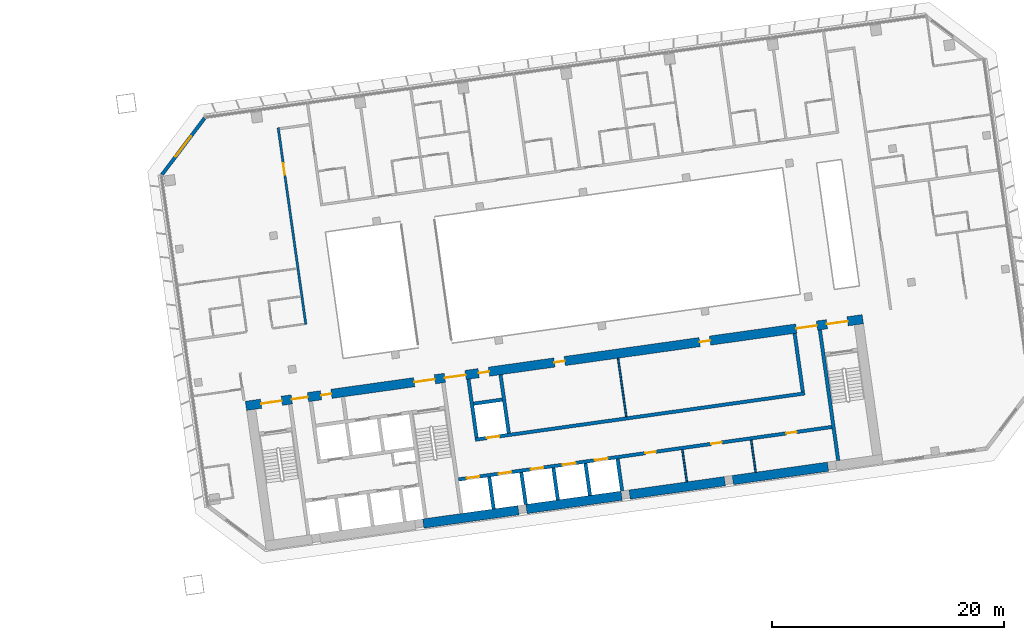
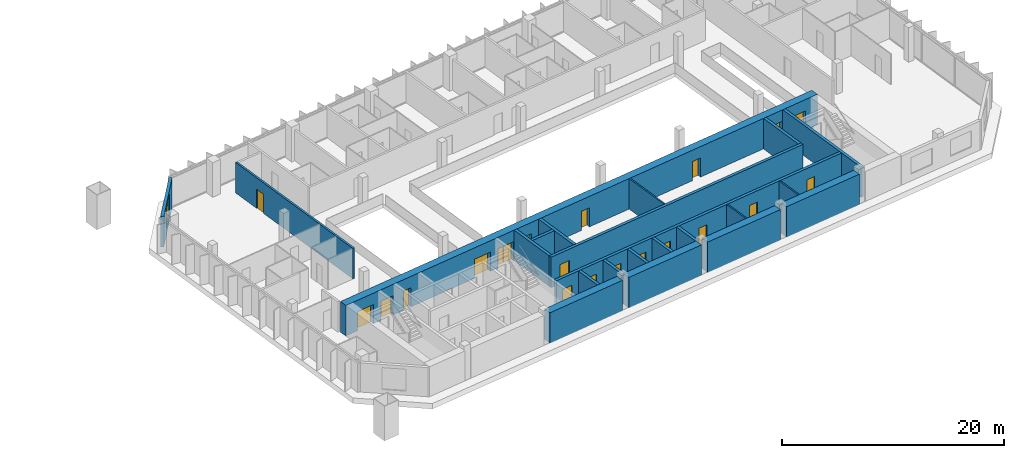
# One storey, part 21 of 26: 22 walls, 20 doors, 1 window, 21 openings.
"""IFC4 building model written with IfcOpenShell, lengths in metres."""

import ifcopenshell
import ifcopenshell.guid

model = None  # the IFC model being written
_history = None  # IfcOwnerHistory: only IFC2X3 demands one
_inside = {}  # id of a spatial element -> (the spatial element, [elements in it])
_under = {}  # id of a project, library or spatial element -> (it, [spatial elements below it])
_declared = {}  # id of a project -> (the project, [libraries it declares])
_typed = {}  # id of a type object -> (the type object, [elements of that type])
_made_of = {}  # id of a material, layer set ... -> (it, [elements and type objects made of it])


def new_model(schema):
    """Start an empty IFC model of exactly this schema.

    Asked for "IFC4X3", IfcOpenShell would pick the latest addendum, in which some entities
    have other attributes; the version numbers below select the first issue.
    IFC2X3 requires an IfcOwnerHistory on every rooted entity: one is made here for all.
    """
    global model, _history
    if schema == "IFC4X3":
        model = ifcopenshell.file(schema_version=(4, 3, 0, 0))
    else:
        model = ifcopenshell.file(schema=schema)
    _inside.clear()
    _under.clear()
    _declared.clear()
    _typed.clear()
    _made_of.clear()
    _history = None
    if model.schema == "IFC2X3":
        org = make("IfcOrganization", Name="unknown")
        user = make(
            "IfcPersonAndOrganization",
            ThePerson=make("IfcPerson", FamilyName="unknown"),
            TheOrganization=org,
        )
        app = make(
            "IfcApplication",
            ApplicationDeveloper=org,
            Version="unknown",
            ApplicationFullName="unknown",
            ApplicationIdentifier="unknown",
        )
        _history = make(
            "IfcOwnerHistory",
            OwningUser=user,
            OwningApplication=app,
            ChangeAction="ADDED",
            CreationDate=0,
        )
    return model


def make(cls, **values):
    """One entity of the class cls with the attributes given. An attribute that is None is left unset."""
    return model.create_entity(
        cls, **{name: value for name, value in values.items() if value is not None}
    )


def rooted(cls, **values):
    """An entity with a GlobalId (a new one), such as an element, a storey or a relation."""
    return make(cls, GlobalId=ifcopenshell.guid.new(), OwnerHistory=_history, **values)


def si_unit(unit_type, name, prefix=None):
    """IfcSIUnit, for example si_unit("LENGTHUNIT", "METRE", prefix="MILLI")."""
    return make("IfcSIUnit", UnitType=unit_type, Prefix=prefix, Name=name)


def assignment(units):
    """IfcUnitAssignment: the units of a project."""
    return None if units is None else make("IfcUnitAssignment", Units=units)


def point(xyz):
    """IfcCartesianPoint."""
    return None if xyz is None else make("IfcCartesianPoint", Coordinates=xyz)


def direction(xyz):
    """IfcDirection."""
    return None if xyz is None else make("IfcDirection", DirectionRatios=xyz)


def frame(location, z_axis=None, x_axis=None):
    """IfcAxis2Placement3D, a coordinate frame: its origin and axes. An axis left out is left unset."""
    return make(
        "IfcAxis2Placement3D",
        Location=point(location),
        Axis=direction(z_axis),
        RefDirection=direction(x_axis),
    )


def frame_2d(location, x_axis=None):
    """IfcAxis2Placement2D, a coordinate frame in the plane: its origin and x axis."""
    return make(
        "IfcAxis2Placement2D", Location=point(location), RefDirection=direction(x_axis)
    )


def origin():
    """The frame at (0, 0, 0) with its axes left unset."""
    return frame((0.0, 0.0, 0.0))


def place(relative_to, where):
    """IfcLocalPlacement: puts the frame where relative to a parent placement (None: the world)."""
    return make(
        "IfcLocalPlacement", PlacementRelTo=relative_to, RelativePlacement=where
    )


def context(
    kind, dimensions, precision=None, world=None, true_north=None, identifier=None
):
    """IfcGeometricRepresentationContext, for example the 3D "Model" context."""
    return make(
        "IfcGeometricRepresentationContext",
        ContextIdentifier=identifier,
        ContextType=kind,
        CoordinateSpaceDimension=dimensions,
        Precision=precision,
        WorldCoordinateSystem=world,
        TrueNorth=true_north,
    )


def subcontext(parent, identifier, kind, view, scale=None):
    """IfcGeometricRepresentationSubContext, for example "Body" below "Model"."""
    return make(
        "IfcGeometricRepresentationSubContext",
        ContextIdentifier=identifier,
        ContextType=kind,
        ParentContext=parent,
        TargetScale=scale,
        TargetView=view,
    )


def project(units=None, contexts=None):
    """IfcProject with its units and contexts."""
    return rooted(
        "IfcProject",
        Name="project",
        RepresentationContexts=contexts,
        UnitsInContext=assignment(units),
    )


def spatial(cls, under=None, at=None, **own):
    """A site, building, storey or space (cls), placed at a placement, below another one or the project."""
    s = rooted(cls, ObjectPlacement=at, **own)
    if under is not None:
        _under.setdefault(under.id(), (under, []))[1].append(s)
    return s


def profile(cls, at=None, kind="AREA", **sizes):
    """A parametric profile (cls). Its sizes go by their IFC names, for example OverallWidth=200.0."""
    return make(cls, ProfileType=kind, Position=at, **sizes)


def rectangle(**sizes):
    """IfcRectangleProfileDef."""
    return profile("IfcRectangleProfileDef", **sizes)


def extrude(swept, where, along, depth):
    """IfcExtrudedAreaSolid: the profile swept, set in the frame where, extruded along a direction by depth."""
    return make(
        "IfcExtrudedAreaSolid",
        SweptArea=swept,
        Position=where,
        ExtrudedDirection=direction(along),
        Depth=depth,
    )


def shape(context_of_items, identifier, shape_type, items):
    """IfcShapeRepresentation: the items that make up one representation, for example the "Body"."""
    return make(
        "IfcShapeRepresentation",
        ContextOfItems=context_of_items,
        RepresentationIdentifier=identifier,
        RepresentationType=shape_type,
        Items=items,
    )


def material(Name=None, Category=None):
    """IfcMaterial."""
    return make("IfcMaterial", Name=Name, Category=Category)


def layer(
    of_material, thickness, ventilated=None, Name=None, Category=None, Priority=None
):
    """IfcMaterialLayer: one layer of a wall or slab, of a material (None: an air gap)."""
    return make(
        "IfcMaterialLayer",
        Material=of_material,
        LayerThickness=thickness,
        IsVentilated=ventilated,
        Name=Name,
        Category=Category,
        Priority=Priority,
    )


def layer_set(layers, Name=None):
    """IfcMaterialLayerSet."""
    return make("IfcMaterialLayerSet", MaterialLayers=layers, LayerSetName=Name)


def made_of(thing, what):
    """Note that an element or type object is made of a material, layer set ...; save() writes the relation."""
    if what is not None:
        _made_of.setdefault(what.id(), (what, []))[1].append(thing)
    return thing


def type_object(cls, material=None, **own):
    """A type object (cls), such as IfcWallType, which elements share."""
    return made_of(rooted(cls, **own), material)


def element(
    cls,
    number,
    at=None,
    inside=None,
    cuts=None,
    type_object=None,
    material=None,
    context=None,
    identifier="Body",
    shape_type=None,
    held_by="IfcProductDefinitionShape",
    body=None,
    shapes=None,
    **own,
):
    """One element of the class cls, such as IfcWall. Its Tag is "e" and its number.

    at: its placement. inside: the storey or other place that contains it. cuts: it is an
    opening in that element (IfcRelVoidsElement). A single representation is given by context,
    identifier, shape_type and body (its items); several are given by shapes. held_by: the class
    of the entity that holds the representations. save() writes the other relations.
    """
    e = rooted(cls, Tag="e%d" % number, ObjectPlacement=at, **own)
    if body is not None:
        shapes = [shape(context, identifier, shape_type, body)]
    if shapes is not None:
        e.Representation = make(held_by, Representations=shapes)
    if inside is not None:
        _inside.setdefault(inside.id(), (inside, []))[1].append(e)
    if cuts is not None:
        rooted(
            "IfcRelVoidsElement", RelatingBuildingElement=cuts, RelatedOpeningElement=e
        )
    if type_object is not None:
        _typed.setdefault(type_object.id(), (type_object, []))[1].append(e)
    return made_of(e, material)


def fill(opening, filler):
    """IfcRelFillsElement: the door or window that sits in an opening."""
    return rooted(
        "IfcRelFillsElement",
        RelatingOpeningElement=opening,
        RelatedBuildingElement=filler,
    )


def aggregate(whole, parts):
    """IfcRelAggregates: a whole, such as a stair, and the parts it consists of."""
    return rooted("IfcRelAggregates", RelatingObject=whole, RelatedObjects=parts)


def save(model, path):
    """Write the relations noted so far, then the file.

    IfcRelAggregates (storeys below a building ...), IfcRelContainedInSpatialStructure (elements
    in a storey), IfcRelDefinesByType, IfcRelAssociatesMaterial and IfcRelDeclares: one each for
    every whole, place, type object, material and project.
    """
    for whole, parts in _under.values():
        aggregate(whole, parts)
    for where, things in _inside.values():
        rooted(
            "IfcRelContainedInSpatialStructure",
            RelatedElements=things,
            RelatingStructure=where,
        )
    for kind, things in _typed.values():
        rooted("IfcRelDefinesByType", RelatedObjects=things, RelatingType=kind)
    for what, things in _made_of.values():
        rooted("IfcRelAssociatesMaterial", RelatedObjects=things, RelatingMaterial=what)
    for by, libraries in _declared.values():
        rooted("IfcRelDeclares", RelatingContext=by, RelatedDefinitions=libraries)
    model.write(path)


model = new_model("IFC4")

# Units and contexts
model_context = context("Model", 3, precision=1e-05, world=origin(), true_north=direction((0.0, 1.0)))
body_context = subcontext(model_context, "Body", "Model", "MODEL_VIEW")
ifc_project = project(units=[si_unit("LENGTHUNIT", "METRE"), si_unit("AREAUNIT", "SQUARE_METRE"), si_unit("VOLUMEUNIT", "CUBIC_METRE"), si_unit("PLANEANGLEUNIT", "RADIAN"), si_unit("MASSUNIT", "GRAM", prefix="KILO")], contexts=[model_context])

# Site, building, storey
site_placement = place(None, origin())
site = spatial("IfcSite", under=ifc_project, at=site_placement, CompositionType="ELEMENT")
building_placement = place(site_placement, origin())
building = spatial("IfcBuilding", under=site, at=building_placement, Name="Mirante Cascada Hotel Towers", CompositionType="ELEMENT")
storey_placement = place(building_placement, frame((0.0, 0.0, 144.3)))
storey = spatial("IfcBuildingStorey", under=building, at=storey_placement, Name="L33", CompositionType="ELEMENT", Elevation=144.3)

# Wall, opening, door
ifc_material_1 = material(Name="Fire-rated plasterboard on metal studs")
ifc_layer_1 = layer(ifc_material_1, 0.2)
ifc_layer_set_1 = layer_set([ifc_layer_1], Name="Compartment wall 200 EI 120")
wall_type_1 = type_object("IfcWallType", Name="Compartment wall 200 EI 120", PredefinedType="PARTITIONING", material=ifc_layer_set_1)
wall_1_placement = place(storey_placement, frame((38.216, 16.4227, 0.0), z_axis=(0.0, 0.0, 1.0), x_axis=(0.139172, -0.9902682, 0.0)))
wall_1 = element("IfcWall", 1, at=wall_1_placement, inside=storey, type_object=wall_type_1, Name="Wall 2-L33-35", PredefinedType="PARTITIONING", context=body_context, shape_type="SweptSolid", body=[
    extrude(rectangle(XDim=17.15, YDim=0.2, at=frame_2d((8.575, 0.0))), origin(), (0.0, 0.0, 1.0), 3.35),
])
opening_1_placement = place(wall_1_placement, frame((3.1, 0.0, 0.0)))
opening_1 = element("IfcOpeningElement", 2, at=opening_1_placement, cuts=wall_1, Name="Opening D2-L33-26", PredefinedType="OPENING", context=body_context, shape_type="SweptSolid", body=[
    extrude(rectangle(XDim=1.0, YDim=2.1, at=frame_2d((0.5, 1.05))), frame((0.0, 0.1, 0.0), z_axis=(0.0, -1.0, 0.0), x_axis=(1.0, 0.0, 0.0)), (0.0, 0.0, 1.0), 0.2),
])
ifc_material_2 = material(Name="Fire-rated timber door leaf", Category="wood")
door_type_1 = type_object("IfcDoorType", Name="Entrance door DG1 1000x2100 EI 60", OperationType="SINGLE_SWING_LEFT", PredefinedType="DOOR", material=ifc_material_2)
door_1_placement = place(opening_1_placement, frame((1.0, 0.0, 0.0), z_axis=(0.0, 0.0, 1.0), x_axis=(-1.0, 0.0, 0.0)))
door_1 = element("IfcDoor", 3, at=door_1_placement, inside=storey, type_object=door_type_1, Name="Door D2-L33-26", OperationType="SINGLE_SWING_RIGHT", OverallHeight=2.1, OverallWidth=1.0, PredefinedType="DOOR", context=body_context, shape_type="SweptSolid", body=[
    extrude(rectangle(XDim=1.0, YDim=2.1, at=frame_2d((0.5, 1.05))), frame((0.0, 0.025, 0.0), z_axis=(0.0, -1.0, 0.0), x_axis=(1.0, 0.0, 0.0)), (0.0, 0.0, 1.0), 0.05),
])
fill(opening_1, door_1)

# Walls
ifc_material_3 = material(Name="Masonry block", Category="masonry")
ifc_layer_2 = layer(ifc_material_3, 0.15)
ifc_layer_set_2 = layer_set([ifc_layer_2], Name="Core room partition 150 block EI 30")
wall_type_2 = type_object("IfcWallType", Name="Core room partition 150 block EI 30", PredefinedType="PARTITIONING", material=ifc_layer_set_2)
wall_2_placement = place(storey_placement, frame((73.5161, -14.1621, 0.0), z_axis=(0.0, 0.0, 1.0), x_axis=(-0.139176, 0.9902677, 0.0)))
element("IfcWall", 4, at=wall_2_placement, inside=storey, type_object=wall_type_2, Name="Core wall partition T2 L33 4", PredefinedType="PARTITIONING", context=body_context, shape_type="SweptSolid", body=[
    extrude(rectangle(XDim=2.8001, YDim=0.15, at=frame_2d((1.4, 0.0))), origin(), (0.0, 0.0, 1.0), 3.35),
])
wall_3_placement = place(storey_placement, frame((79.4577, -13.327, 0.0), z_axis=(0.0, 0.0, 1.0), x_axis=(-0.1391459, 0.9902719, 0.0)))
element("IfcWall", 5, at=wall_3_placement, inside=storey, type_object=wall_type_2, Name="Core wall partition T2 L33 5", PredefinedType="PARTITIONING", context=body_context, shape_type="SweptSolid", body=[
    extrude(rectangle(XDim=2.7999, YDim=0.15, at=frame_2d((1.4, 0.0))), origin(), (0.0, 0.0, 1.0), 3.35),
])
wall_4_placement = place(storey_placement, frame((68.2822, -8.5358, 0.0), z_axis=(0.0, 0.0, 1.0), x_axis=(-0.1391755, 0.9902677, 0.0)))
element("IfcWall", 6, at=wall_4_placement, inside=storey, type_object=wall_type_2, Name="Core wall partition T2 L33 6", PredefinedType="PARTITIONING", context=body_context, shape_type="SweptSolid", body=[
    extrude(rectangle(XDim=5.1, YDim=0.15, at=frame_2d((2.55, 0.0))), origin(), (0.0, 0.0, 1.0), 3.35),
])

# Wall, opening, window
ifc_material_4 = material(Name="Precast concrete C40/50", Category="concrete")
ifc_layer_3 = layer(ifc_material_4, 0.3)
ifc_layer_set_3 = layer_set([ifc_layer_3], Name="Precast concrete C40/50 cladding wall 300")
wall_type_3 = type_object("IfcWallType", Name="Precast concrete C40/50 cladding wall 300", PredefinedType="STANDARD", material=ifc_layer_set_3)
wall_5_placement = place(storey_placement, frame((31.857, 17.252, 0.0), z_axis=(0.0, 0.0, 1.0), x_axis=(-0.6018141, -0.7986362, 0.0)))
wall_5 = element("IfcWall", 7, at=wall_5_placement, inside=storey, type_object=wall_type_3, Name="Corner cladding wall T2 L33 front inner", PredefinedType="STANDARD", context=body_context, shape_type="SweptSolid", body=[
    extrude(rectangle(XDim=6.1157, YDim=0.3, at=frame_2d((3.0578, 0.0))), origin(), (0.0, 0.0, 1.0), 3.35),
])
opening_2_placement = place(wall_5_placement, frame((1.9578, 0.0, 0.6)))
opening_2 = element("IfcOpeningElement", 8, at=opening_2_placement, cuts=wall_5, Name="Opening W2-33-05", PredefinedType="OPENING", context=body_context, shape_type="SweptSolid", body=[
    extrude(rectangle(XDim=2.2, YDim=2.4, at=frame_2d((1.1, 1.2))), frame((0.0, 0.15, 0.0), z_axis=(0.0, -1.0, 0.0), x_axis=(1.0, 0.0, 0.0)), (0.0, 0.0, 1.0), 0.3),
])
ifc_material_5 = material(Name="Aluminium frame with clear double glazing", Category="aluminium")
window_type = type_object("IfcWindowType", Name="Corner suite window 2200x2400", PartitioningType="DOUBLE_PANEL_VERTICAL", PredefinedType="WINDOW", material=ifc_material_5)
window_placement = place(opening_2_placement, origin())
window = element("IfcWindow", 9, at=window_placement, inside=storey, type_object=window_type, Name="Window W2-33-05", OverallHeight=2.4, OverallWidth=2.2, PartitioningType="SINGLE_PANEL", PredefinedType="WINDOW", context=body_context, shape_type="SweptSolid", body=[
    extrude(rectangle(XDim=2.2, YDim=2.4, at=frame_2d((1.1, 1.2))), frame((0.0, 0.03, 0.0), z_axis=(0.0, -1.0, 0.0), x_axis=(1.0, 0.0, 0.0)), (0.0, 0.0, 1.0), 0.06),
])
fill(opening_2, window)

# Wall
ifc_material_6 = material(Name="Concrete C50/60", Category="concrete")
ifc_layer_4 = layer(ifc_material_6, 0.3)
ifc_layer_set_4 = layer_set([ifc_layer_4], Name="RC core wall 300 C50/60")
wall_type_4 = type_object("IfcWallType", Name="RC core wall 300 C50/60", PredefinedType="SHEAR", material=ifc_layer_set_4)
wall_6_placement = place(storey_placement, frame((86.5877, -12.325, 0.0), z_axis=(0.0, 0.0, 1.0), x_axis=(-0.1391749, 0.9902678, 0.0)))
element("IfcWall", 10, at=wall_6_placement, inside=storey, type_object=wall_type_4, Name="Core wall T2:L33:8", PredefinedType="SHEAR", context=body_context, shape_type="SweptSolid", body=[
    extrude(rectangle(XDim=11.4, YDim=0.3, at=frame_2d((5.7, 0.0))), origin(), (0.0, 0.0, 1.0), 3.35),
])

# Wall, openings, doors
wall_7_placement = place(storey_placement, frame((53.7953, -13.9547, 0.0), z_axis=(0.0, 0.0, 1.0), x_axis=(0.990268, 0.1391733, 0.0)))
wall_7 = element("IfcWall", 11, at=wall_7_placement, inside=storey, type_object=wall_type_4, Name="Core wall T2:L33:24", PredefinedType="SHEAR", context=body_context, shape_type="SweptSolid", body=[
    extrude(rectangle(XDim=32.5501, YDim=0.3, at=frame_2d((16.275, 0.0))), origin(), (0.0, 0.0, 1.0), 3.35),
])
opening_3_placement = place(wall_7_placement, frame((0.7, 0.0, 0.0)))
opening_3 = element("IfcOpeningElement", 12, at=opening_3_placement, cuts=wall_7, Name="Opening LD", PredefinedType="OPENING", context=body_context, shape_type="SweptSolid", body=[
    extrude(rectangle(XDim=1.1, YDim=2.1, at=frame_2d((0.55, 1.05))), frame((0.0, 0.15, 0.0), z_axis=(0.0, -1.0, 0.0), x_axis=(1.0, 0.0, 0.0)), (0.0, 0.0, 1.0), 0.3),
])
opening_4_placement = place(wall_7_placement, frame((3.5, 0.0, 0.0)))
opening_4 = element("IfcOpeningElement", 13, at=opening_4_placement, cuts=wall_7, Name="Opening LD", PredefinedType="OPENING", context=body_context, shape_type="SweptSolid", body=[
    extrude(rectangle(XDim=1.1, YDim=2.1, at=frame_2d((0.55, 1.05))), frame((0.0, 0.15, 0.0), z_axis=(0.0, -1.0, 0.0), x_axis=(1.0, 0.0, 0.0)), (0.0, 0.0, 1.0), 0.3),
])
opening_5_placement = place(wall_7_placement, frame((6.3, 0.0, 0.0)))
opening_5 = element("IfcOpeningElement", 14, at=opening_5_placement, cuts=wall_7, Name="Opening LD", PredefinedType="OPENING", context=body_context, shape_type="SweptSolid", body=[
    extrude(rectangle(XDim=1.1, YDim=2.1, at=frame_2d((0.55, 1.05))), frame((0.0, 0.15, 0.0), z_axis=(0.0, -1.0, 0.0), x_axis=(1.0, 0.0, 0.0)), (0.0, 0.0, 1.0), 0.3),
])
opening_6_placement = place(wall_7_placement, frame((9.1, 0.0, 0.0)))
opening_6 = element("IfcOpeningElement", 15, at=opening_6_placement, cuts=wall_7, Name="Opening LD", PredefinedType="OPENING", context=body_context, shape_type="SweptSolid", body=[
    extrude(rectangle(XDim=1.1, YDim=2.1, at=frame_2d((0.55, 1.05))), frame((0.0, 0.15, 0.0), z_axis=(0.0, -1.0, 0.0), x_axis=(1.0, 0.0, 0.0)), (0.0, 0.0, 1.0), 0.3),
])
opening_7_placement = place(wall_7_placement, frame((11.9, 0.0, 0.0)))
opening_7 = element("IfcOpeningElement", 16, at=opening_7_placement, cuts=wall_7, Name="Opening LD", PredefinedType="OPENING", context=body_context, shape_type="SweptSolid", body=[
    extrude(rectangle(XDim=1.1, YDim=2.1, at=frame_2d((0.55, 1.05))), frame((0.0, 0.15, 0.0), z_axis=(0.0, -1.0, 0.0), x_axis=(1.0, 0.0, 0.0)), (0.0, 0.0, 1.0), 0.3),
])
opening_8_placement = place(wall_7_placement, frame((16.3, 0.0, 0.0)))
opening_8 = element("IfcOpeningElement", 17, at=opening_8_placement, cuts=wall_7, Name="Opening D2-33-C25", PredefinedType="OPENING", context=body_context, shape_type="SweptSolid", body=[
    extrude(rectangle(XDim=0.9, YDim=2.1, at=frame_2d((0.45, 1.05))), frame((0.0, 0.15, 0.0), z_axis=(0.0, -1.0, 0.0), x_axis=(1.0, 0.0, 0.0)), (0.0, 0.0, 1.0), 0.3),
])
opening_9_placement = place(wall_7_placement, frame((22.05, 0.0, 0.0)))
opening_9 = element("IfcOpeningElement", 18, at=opening_9_placement, cuts=wall_7, Name="Opening D2-33-C26", PredefinedType="OPENING", context=body_context, shape_type="SweptSolid", body=[
    extrude(rectangle(XDim=0.9, YDim=2.1, at=frame_2d((0.45, 1.05))), frame((0.0, 0.15, 0.0), z_axis=(0.0, -1.0, 0.0), x_axis=(1.0, 0.0, 0.0)), (0.0, 0.0, 1.0), 0.3),
])
opening_10_placement = place(wall_7_placement, frame((28.575, 0.0, 0.0)))
opening_10 = element("IfcOpeningElement", 19, at=opening_10_placement, cuts=wall_7, Name="Opening D2-33-C27", PredefinedType="OPENING", context=body_context, shape_type="SweptSolid", body=[
    extrude(rectangle(XDim=0.9, YDim=2.1, at=frame_2d((0.45, 1.05))), frame((0.0, 0.15, 0.0), z_axis=(0.0, -1.0, 0.0), x_axis=(1.0, 0.0, 0.0)), (0.0, 0.0, 1.0), 0.3),
])
ifc_material_7 = material(Name="Hollow metal fire door leaf")
door_type_2 = type_object("IfcDoorType", Name="Fire door 900x2100 FD60", OperationType="NOTDEFINED", PredefinedType="DOOR", material=ifc_material_7)
door_2_placement = place(opening_8_placement, frame((0.9, 0.0, 0.0), z_axis=(0.0, 0.0, 1.0), x_axis=(-1.0, 0.0, 0.0)))
door_2 = element("IfcDoor", 20, at=door_2_placement, inside=storey, type_object=door_type_2, Name="Room door T2 L33 25", OperationType="SINGLE_SWING_RIGHT", OverallHeight=2.1, OverallWidth=0.9, PredefinedType="DOOR", context=body_context, shape_type="SweptSolid", body=[
    extrude(rectangle(XDim=0.9, YDim=2.1, at=frame_2d((0.45, 1.05))), frame((0.0, 0.025, 0.0), z_axis=(0.0, -1.0, 0.0), x_axis=(1.0, 0.0, 0.0)), (0.0, 0.0, 1.0), 0.05),
])
fill(opening_8, door_2)
door_3_placement = place(opening_9_placement, frame((0.9, 0.0, 0.0), z_axis=(0.0, 0.0, 1.0), x_axis=(-1.0, 0.0, 0.0)))
door_3 = element("IfcDoor", 21, at=door_3_placement, inside=storey, type_object=door_type_2, Name="Room door T2 L33 26", OperationType="SINGLE_SWING_RIGHT", OverallHeight=2.1, OverallWidth=0.9, PredefinedType="DOOR", context=body_context, shape_type="SweptSolid", body=[
    extrude(rectangle(XDim=0.9, YDim=2.1, at=frame_2d((0.45, 1.05))), frame((0.0, 0.025, 0.0), z_axis=(0.0, -1.0, 0.0), x_axis=(1.0, 0.0, 0.0)), (0.0, 0.0, 1.0), 0.05),
])
fill(opening_9, door_3)
door_4_placement = place(opening_10_placement, frame((0.9, 0.0, 0.0), z_axis=(0.0, 0.0, 1.0), x_axis=(-1.0, 0.0, 0.0)))
door_4 = element("IfcDoor", 22, at=door_4_placement, inside=storey, type_object=door_type_2, Name="Room door T2 L33 27", OperationType="SINGLE_SWING_RIGHT", OverallHeight=2.1, OverallWidth=0.9, PredefinedType="DOOR", context=body_context, shape_type="SweptSolid", body=[
    extrude(rectangle(XDim=0.9, YDim=2.1, at=frame_2d((0.45, 1.05))), frame((0.0, 0.025, 0.0), z_axis=(0.0, -1.0, 0.0), x_axis=(1.0, 0.0, 0.0)), (0.0, 0.0, 1.0), 0.05),
])
fill(opening_10, door_4)
ifc_material_8 = material(Name="Stainless steel", Category="steel")
door_type_3 = type_object("IfcDoorType", Name="Lift landing door 1100x2100 EI 120", OperationType="DOUBLE_DOOR_SLIDING", PredefinedType="DOOR", material=ifc_material_8)
door_5_placement = place(opening_3_placement, origin())
door_5 = element("IfcDoor", 23, at=door_5_placement, inside=storey, type_object=door_type_3, Name="Lift landing door LR2-1 L33", OperationType="DOUBLE_DOOR_SLIDING", OverallHeight=2.1, OverallWidth=1.1, PredefinedType="DOOR", context=body_context, shape_type="SweptSolid", body=[
    extrude(rectangle(XDim=0.545, YDim=2.1, at=frame_2d((0.2725, 1.05))), frame((0.0, 0.025, 0.0), z_axis=(0.0, -1.0, 0.0), x_axis=(1.0, 0.0, 0.0)), (0.0, 0.0, 1.0), 0.05),
    extrude(rectangle(XDim=0.545, YDim=2.1, at=frame_2d((0.8275, 1.05))), frame((0.0, 0.025, 0.0), z_axis=(0.0, -1.0, 0.0), x_axis=(1.0, 0.0, 0.0)), (0.0, 0.0, 1.0), 0.05),
])
fill(opening_3, door_5)
door_6_placement = place(opening_4_placement, origin())
door_6 = element("IfcDoor", 24, at=door_6_placement, inside=storey, type_object=door_type_3, Name="Lift landing door LR2-2 L33", OperationType="DOUBLE_DOOR_SLIDING", OverallHeight=2.1, OverallWidth=1.1, PredefinedType="DOOR", context=body_context, shape_type="SweptSolid", body=[
    extrude(rectangle(XDim=0.545, YDim=2.1, at=frame_2d((0.2725, 1.05))), frame((0.0, 0.025, 0.0), z_axis=(0.0, -1.0, 0.0), x_axis=(1.0, 0.0, 0.0)), (0.0, 0.0, 1.0), 0.05),
    extrude(rectangle(XDim=0.545, YDim=2.1, at=frame_2d((0.8275, 1.05))), frame((0.0, 0.025, 0.0), z_axis=(0.0, -1.0, 0.0), x_axis=(1.0, 0.0, 0.0)), (0.0, 0.0, 1.0), 0.05),
])
fill(opening_4, door_6)
door_7_placement = place(opening_5_placement, origin())
door_7 = element("IfcDoor", 25, at=door_7_placement, inside=storey, type_object=door_type_3, Name="Lift landing door SV2-1 L33", OperationType="DOUBLE_DOOR_SLIDING", OverallHeight=2.1, OverallWidth=1.1, PredefinedType="DOOR", context=body_context, shape_type="SweptSolid", body=[
    extrude(rectangle(XDim=0.545, YDim=2.1, at=frame_2d((0.2725, 1.05))), frame((0.0, 0.025, 0.0), z_axis=(0.0, -1.0, 0.0), x_axis=(1.0, 0.0, 0.0)), (0.0, 0.0, 1.0), 0.05),
    extrude(rectangle(XDim=0.545, YDim=2.1, at=frame_2d((0.8275, 1.05))), frame((0.0, 0.025, 0.0), z_axis=(0.0, -1.0, 0.0), x_axis=(1.0, 0.0, 0.0)), (0.0, 0.0, 1.0), 0.05),
])
fill(opening_5, door_7)
door_8_placement = place(opening_6_placement, origin())
door_8 = element("IfcDoor", 26, at=door_8_placement, inside=storey, type_object=door_type_3, Name="Lift landing door SV2-2 L33", OperationType="DOUBLE_DOOR_SLIDING", OverallHeight=2.1, OverallWidth=1.1, PredefinedType="DOOR", context=body_context, shape_type="SweptSolid", body=[
    extrude(rectangle(XDim=0.545, YDim=2.1, at=frame_2d((0.2725, 1.05))), frame((0.0, 0.025, 0.0), z_axis=(0.0, -1.0, 0.0), x_axis=(1.0, 0.0, 0.0)), (0.0, 0.0, 1.0), 0.05),
    extrude(rectangle(XDim=0.545, YDim=2.1, at=frame_2d((0.8275, 1.05))), frame((0.0, 0.025, 0.0), z_axis=(0.0, -1.0, 0.0), x_axis=(1.0, 0.0, 0.0)), (0.0, 0.0, 1.0), 0.05),
])
fill(opening_6, door_8)
door_9_placement = place(opening_7_placement, origin())
door_9 = element("IfcDoor", 27, at=door_9_placement, inside=storey, type_object=door_type_3, Name="Lift landing door SV2-3 L33", OperationType="DOUBLE_DOOR_SLIDING", OverallHeight=2.1, OverallWidth=1.1, PredefinedType="DOOR", context=body_context, shape_type="SweptSolid", body=[
    extrude(rectangle(XDim=0.545, YDim=2.1, at=frame_2d((0.2725, 1.05))), frame((0.0, 0.025, 0.0), z_axis=(0.0, -1.0, 0.0), x_axis=(1.0, 0.0, 0.0)), (0.0, 0.0, 1.0), 0.05),
    extrude(rectangle(XDim=0.545, YDim=2.1, at=frame_2d((0.8275, 1.05))), frame((0.0, 0.025, 0.0), z_axis=(0.0, -1.0, 0.0), x_axis=(1.0, 0.0, 0.0)), (0.0, 0.0, 1.0), 0.05),
])
fill(opening_7, door_9)

# Walls
for number, where, z_axis, x_axis, name in (
    (28, (56.8301, -16.5072, 0.0), (0.0, 0.0, 1.0), (-0.139176, 0.9902677, 0.0), "Core wall T2:L33:25"),
    (29, (59.6029, -16.1175, 0.0), (0.0, 0.0, 1.0), (-0.139176, 0.9902677, 0.0), "Core wall T2:L33:26"),
    (30, (62.3756, -15.7278, 0.0), (0.0, 0.0, 1.0), (-0.139176, 0.9902677, 0.0), "Core wall T2:L33:27"),
    (31, (65.1484, -15.3381, 0.0), (0.0, 0.0, 1.0), (-0.139176, 0.9902677, 0.0), "Core wall T2:L33:28"),
):
    element("IfcWall", number, at=place(storey_placement, frame(where, z_axis=z_axis, x_axis=x_axis)), inside=storey, type_object=wall_type_4, Name=name, PredefinedType="SHEAR", context=body_context, shape_type="SweptSolid", body=[
        extrude(rectangle(XDim=2.8001, YDim=0.3, at=frame_2d((1.4, 0.0))), origin(), (0.0, 0.0, 1.0), 3.35),
    ])
wall_8_placement = place(storey_placement, frame((67.9211, -14.9484, 0.0), z_axis=(0.0, 0.0, 1.0), x_axis=(-0.139181, 0.990267, 0.0)))
element("IfcWall", 32, at=wall_8_placement, inside=storey, type_object=wall_type_4, Name="Core wall T2:L33:29", PredefinedType="SHEAR", context=body_context, shape_type="SweptSolid", body=[
    extrude(rectangle(XDim=2.8, YDim=0.3, at=frame_2d((1.4, 0.0))), origin(), (0.0, 0.0, 1.0), 3.35),
])

# Wall, opening, door
wall_9_placement = place(storey_placement, frame((55.2315, -10.5214, 0.0), z_axis=(0.0, 0.0, 1.0), x_axis=(0.9902682, 0.1391722, 0.0)))
wall_9 = element("IfcWall", 33, at=wall_9_placement, inside=storey, type_object=wall_type_4, Name="Core wall T2:L33:32", PredefinedType="SHEAR", context=body_context, shape_type="SweptSolid", body=[
    extrude(rectangle(XDim=28.75, YDim=0.3, at=frame_2d((14.375, 0.0))), origin(), (0.0, 0.0, 1.0), 3.35),
])
opening_11_placement = place(wall_9_placement, frame((1.0, 0.0, 0.0)))
opening_11 = element("IfcOpeningElement", 34, at=opening_11_placement, cuts=wall_9, Name="Opening LD", PredefinedType="OPENING", context=body_context, shape_type="SweptSolid", body=[
    extrude(rectangle(XDim=1.1, YDim=2.1, at=frame_2d((0.55, 1.05))), frame((0.0, 0.15, 0.0), z_axis=(0.0, -1.0, 0.0), x_axis=(1.0, 0.0, 0.0)), (0.0, 0.0, 1.0), 0.3),
])
door_10_placement = place(opening_11_placement, origin())
door_10 = element("IfcDoor", 35, at=door_10_placement, inside=storey, type_object=door_type_3, Name="Lift landing door LR2-3 L33", OperationType="DOUBLE_DOOR_SLIDING", OverallHeight=2.1, OverallWidth=1.1, PredefinedType="DOOR", context=body_context, shape_type="SweptSolid", body=[
    extrude(rectangle(XDim=0.545, YDim=2.1, at=frame_2d((0.2725, 1.05))), frame((0.0, 0.025, 0.0), z_axis=(0.0, -1.0, 0.0), x_axis=(1.0, 0.0, 0.0)), (0.0, 0.0, 1.0), 0.05),
    extrude(rectangle(XDim=0.545, YDim=2.1, at=frame_2d((0.8275, 1.05))), frame((0.0, 0.025, 0.0), z_axis=(0.0, -1.0, 0.0), x_axis=(1.0, 0.0, 0.0)), (0.0, 0.0, 1.0), 0.05),
])
fill(opening_11, door_10)

# Walls
for number, where, z_axis, x_axis, name in (
    (36, (55.3592, -10.352, 0.0), (0.0, 0.0, 1.0), (-0.1391755, 0.9902677, 0.0), "Core wall T2:L33:33"),
    (37, (83.5323, -6.3925, 0.0), (0.0, 0.0, 1.0), (-0.1391755, 0.9902677, 0.0), "Core wall T2:L33:34"),
    (38, (58.1319, -9.9623, 0.0), (0.0, 0.0, 1.0), (-0.1391755, 0.9902677, 0.0), "Core wall T2:L33:35"),
):
    element("IfcWall", number, at=place(storey_placement, frame(where, z_axis=z_axis, x_axis=x_axis)), inside=storey, type_object=wall_type_4, Name=name, PredefinedType="SHEAR", context=body_context, shape_type="SweptSolid", body=[
        extrude(rectangle(XDim=5.1, YDim=0.3, at=frame_2d((2.55, 0.0))), origin(), (0.0, 0.0, 1.0), 3.35),
    ])
wall_10_placement = place(storey_placement, frame((55.0971, -7.4098, 0.0), z_axis=(0.0, 0.0, 1.0), x_axis=(0.9902701, 0.1391586, 0.0)))
element("IfcWall", 39, at=wall_10_placement, inside=storey, type_object=wall_type_4, Name="Core wall T2:L33:36", PredefinedType="SHEAR", context=body_context, shape_type="SweptSolid", body=[
    extrude(rectangle(XDim=2.5, YDim=0.3, at=frame_2d((1.25, 0.0))), origin(), (0.0, 0.0, 1.0), 3.35),
])
ifc_material_9 = material(Name="Concrete C50/60", Category="concrete")
ifc_layer_5 = layer(ifc_material_9, 0.8)
ifc_layer_set_5 = layer_set([ifc_layer_5], Name="RC core wall 800 C50/60")
wall_type_5 = type_object("IfcWallType", Name="RC core wall 800 C50/60", PredefinedType="SHEAR", material=ifc_layer_set_5)
wall_11_placement = place(storey_placement, frame((50.7461, -17.7661, 0.0), z_axis=(0.0, 0.0, 1.0), x_axis=(0.9902686, 0.1391692, 0.0)))
element("IfcWall", 40, at=wall_11_placement, inside=storey, type_object=wall_type_5, Name="Core wall T2:L33:1.3", PredefinedType="SHEAR", context=body_context, shape_type="SweptSolid", body=[
    extrude(rectangle(XDim=8.3, YDim=0.8, at=frame_2d((4.15, 0.0))), origin(), (0.0, 0.0, 1.0), 3.35),
])
for number, where, z_axis, x_axis, name in (
    (41, (59.6585, -16.5136, 0.0), (0.0, 0.0, 1.0), (0.9902672, 0.1391793, 0.0), "Core wall T2:L33:1.4"),
    (42, (68.5709, -15.261, 0.0), (0.0, 0.0, 1.0), (0.9902689, 0.1391675, 0.0), "Core wall T2:L33:1.5"),
):
    element("IfcWall", number, at=place(storey_placement, frame(where, z_axis=z_axis, x_axis=x_axis)), inside=storey, type_object=wall_type_5, Name=name, PredefinedType="SHEAR", context=body_context, shape_type="SweptSolid", body=[
        extrude(rectangle(XDim=8.3001, YDim=0.8, at=frame_2d((4.15, 0.0))), origin(), (0.0, 0.0, 1.0), 3.35),
    ])
wall_12_placement = place(storey_placement, frame((77.4834, -14.0085, 0.0), z_axis=(0.0, 0.0, 1.0), x_axis=(0.990267, 0.139181, 0.0)))
element("IfcWall", 43, at=wall_12_placement, inside=storey, type_object=wall_type_5, Name="Core wall T2:L33:1.6", PredefinedType="SHEAR", context=body_context, shape_type="SweptSolid", body=[
    extrude(rectangle(XDim=8.3, YDim=0.8, at=frame_2d((4.15, 0.0))), origin(), (0.0, 0.0, 1.0), 3.35),
])

# Wall, openings, doors
wall_13_placement = place(storey_placement, frame((35.432, -7.5985, 0.0), z_axis=(0.0, 0.0, 1.0), x_axis=(0.9902681, 0.1391729, 0.0)))
wall_13 = element("IfcWall", 44, at=wall_13_placement, inside=storey, type_object=wall_type_5, Name="Core wall T2:L33:2", PredefinedType="SHEAR", context=body_context, shape_type="SweptSolid", body=[
    extrude(rectangle(XDim=53.8, YDim=0.8, at=frame_2d((26.9, 0.0))), origin(), (0.0, 0.0, 1.0), 3.35),
])
opening_12_placement = place(wall_13_placement, frame((1.325, 0.0, 0.0)))
opening_12 = element("IfcOpeningElement", 45, at=opening_12_placement, cuts=wall_13, Name="Opening D2-33-C14", PredefinedType="OPENING", context=body_context, shape_type="SweptSolid", body=[
    extrude(rectangle(XDim=1.8, YDim=2.1, at=frame_2d((0.9, 1.05))), frame((0.0, 0.4, 0.0), z_axis=(0.0, -1.0, 0.0), x_axis=(1.0, 0.0, 0.0)), (0.0, 0.0, 1.0), 0.8),
])
opening_13_placement = place(wall_13_placement, frame((14.675, 0.0, 0.0)))
opening_13 = element("IfcOpeningElement", 46, at=opening_13_placement, cuts=wall_13, Name="Opening D2-33-C16", PredefinedType="OPENING", context=body_context, shape_type="SweptSolid", body=[
    extrude(rectangle(XDim=1.8, YDim=2.1, at=frame_2d((0.9, 1.05))), frame((0.0, 0.4, 0.0), z_axis=(0.0, -1.0, 0.0), x_axis=(1.0, 0.0, 0.0)), (0.0, 0.0, 1.0), 0.8),
])
opening_14_placement = place(wall_13_placement, frame((50.675, 0.0, 0.0)))
opening_14 = element("IfcOpeningElement", 47, at=opening_14_placement, cuts=wall_13, Name="Opening D2-33-C18", PredefinedType="OPENING", context=body_context, shape_type="SweptSolid", body=[
    extrude(rectangle(XDim=1.8, YDim=2.1, at=frame_2d((0.9, 1.05))), frame((0.0, 0.4, 0.0), z_axis=(0.0, -1.0, 0.0), x_axis=(1.0, 0.0, 0.0)), (0.0, 0.0, 1.0), 0.8),
])
opening_15_placement = place(wall_13_placement, frame((4.0, 0.0, 0.0)))
opening_15 = element("IfcOpeningElement", 48, at=opening_15_placement, cuts=wall_13, Name="Opening D2-33-C19", PredefinedType="OPENING", context=body_context, shape_type="SweptSolid", body=[
    extrude(rectangle(XDim=1.4, YDim=2.1, at=frame_2d((0.7, 1.05))), frame((0.0, 0.4, 0.0), z_axis=(0.0, -1.0, 0.0), x_axis=(1.0, 0.0, 0.0)), (0.0, 0.0, 1.0), 0.8),
])
opening_16_placement = place(wall_13_placement, frame((17.35, 0.0, 0.0)))
opening_16 = element("IfcOpeningElement", 49, at=opening_16_placement, cuts=wall_13, Name="Opening D2-33-C20", PredefinedType="OPENING", context=body_context, shape_type="SweptSolid", body=[
    extrude(rectangle(XDim=1.8, YDim=2.1, at=frame_2d((0.9, 1.05))), frame((0.0, 0.4, 0.0), z_axis=(0.0, -1.0, 0.0), x_axis=(1.0, 0.0, 0.0)), (0.0, 0.0, 1.0), 0.8),
])
opening_17_placement = place(wall_13_placement, frame((48.0, 0.0, 0.0)))
opening_17 = element("IfcOpeningElement", 50, at=opening_17_placement, cuts=wall_13, Name="Opening D2-33-C21", PredefinedType="OPENING", context=body_context, shape_type="SweptSolid", body=[
    extrude(rectangle(XDim=1.8, YDim=2.1, at=frame_2d((0.9, 1.05))), frame((0.0, 0.4, 0.0), z_axis=(0.0, -1.0, 0.0), x_axis=(1.0, 0.0, 0.0)), (0.0, 0.0, 1.0), 0.8),
])
opening_18_placement = place(wall_13_placement, frame((6.55, 0.0, 0.0)))
opening_18 = element("IfcOpeningElement", 51, at=opening_18_placement, cuts=wall_13, Name="Opening D2-33-C24", PredefinedType="OPENING", context=body_context, shape_type="SweptSolid", body=[
    extrude(rectangle(XDim=0.9, YDim=2.1, at=frame_2d((0.45, 1.05))), frame((0.0, 0.4, 0.0), z_axis=(0.0, -1.0, 0.0), x_axis=(1.0, 0.0, 0.0)), (0.0, 0.0, 1.0), 0.8),
])
opening_19_placement = place(wall_13_placement, frame((20.3, 0.0, 0.0)))
opening_19 = element("IfcOpeningElement", 52, at=opening_19_placement, cuts=wall_13, Name="Opening D2-33-C28", PredefinedType="OPENING", context=body_context, shape_type="SweptSolid", body=[
    extrude(rectangle(XDim=0.9, YDim=2.1, at=frame_2d((0.45, 1.05))), frame((0.0, 0.4, 0.0), z_axis=(0.0, -1.0, 0.0), x_axis=(1.0, 0.0, 0.0)), (0.0, 0.0, 1.0), 0.8),
])
opening_20_placement = place(wall_13_placement, frame((26.9, 0.0, 0.0)))
opening_20 = element("IfcOpeningElement", 53, at=opening_20_placement, cuts=wall_13, Name="Opening D2-33-C29", PredefinedType="OPENING", context=body_context, shape_type="SweptSolid", body=[
    extrude(rectangle(XDim=0.9, YDim=2.1, at=frame_2d((0.45, 1.05))), frame((0.0, 0.4, 0.0), z_axis=(0.0, -1.0, 0.0), x_axis=(1.0, 0.0, 0.0)), (0.0, 0.0, 1.0), 0.8),
])
opening_21_placement = place(wall_13_placement, frame((39.575, 0.0, 0.0)))
opening_21 = element("IfcOpeningElement", 54, at=opening_21_placement, cuts=wall_13, Name="Opening D2-33-C30", PredefinedType="OPENING", context=body_context, shape_type="SweptSolid", body=[
    extrude(rectangle(XDim=0.9, YDim=2.1, at=frame_2d((0.45, 1.05))), frame((0.0, 0.4, 0.0), z_axis=(0.0, -1.0, 0.0), x_axis=(1.0, 0.0, 0.0)), (0.0, 0.0, 1.0), 0.8),
])
ifc_material_10 = material(Name="Hollow metal fire door leaf")
door_type_4 = type_object("IfcDoorType", Name="Double fire door 1400x2100 FD60", OperationType="DOUBLE_DOOR_SINGLE_SWING", PredefinedType="DOOR", material=ifc_material_10)
door_11_placement = place(opening_15_placement, origin())
door_11 = element("IfcDoor", 55, at=door_11_placement, inside=storey, type_object=door_type_4, Name="Exit door to gallery T2 L33 19", OperationType="DOUBLE_DOOR_SINGLE_SWING", OverallHeight=2.1, OverallWidth=1.4, PredefinedType="DOOR", context=body_context, shape_type="SweptSolid", body=[
    extrude(rectangle(XDim=0.695, YDim=2.1, at=frame_2d((0.3475, 1.05))), frame((0.0, 0.025, 0.0), z_axis=(0.0, -1.0, 0.0), x_axis=(1.0, 0.0, 0.0)), (0.0, 0.0, 1.0), 0.05),
    extrude(rectangle(XDim=0.695, YDim=2.1, at=frame_2d((1.0525, 1.05))), frame((0.0, 0.025, 0.0), z_axis=(0.0, -1.0, 0.0), x_axis=(1.0, 0.0, 0.0)), (0.0, 0.0, 1.0), 0.05),
])
fill(opening_15, door_11)
ifc_material_11 = material(Name="Hollow metal fire door leaf")
door_type_5 = type_object("IfcDoorType", Name="Double fire door 1800x2100 FD60", OperationType="DOUBLE_DOOR_SINGLE_SWING", PredefinedType="DOOR", material=ifc_material_11)
door_12_placement = place(opening_12_placement, frame((1.8, 0.0, 0.0), z_axis=(0.0, 0.0, 1.0), x_axis=(-1.0, 0.0, 0.0)))
door_12 = element("IfcDoor", 56, at=door_12_placement, inside=storey, type_object=door_type_5, Name="Exit door to gallery T2 L33 14", OperationType="DOUBLE_DOOR_SINGLE_SWING", OverallHeight=2.1, OverallWidth=1.8, PredefinedType="DOOR", context=body_context, shape_type="SweptSolid", body=[
    extrude(rectangle(XDim=0.895, YDim=2.1, at=frame_2d((0.4475, 1.05))), frame((0.0, 0.025, 0.0), z_axis=(0.0, -1.0, 0.0), x_axis=(1.0, 0.0, 0.0)), (0.0, 0.0, 1.0), 0.05),
    extrude(rectangle(XDim=0.895, YDim=2.1, at=frame_2d((1.3525, 1.05))), frame((0.0, 0.025, 0.0), z_axis=(0.0, -1.0, 0.0), x_axis=(1.0, 0.0, 0.0)), (0.0, 0.0, 1.0), 0.05),
])
fill(opening_12, door_12)
door_13_placement = place(opening_13_placement, frame((1.8, 0.0, 0.0), z_axis=(0.0, 0.0, 1.0), x_axis=(-1.0, 0.0, 0.0)))
door_13 = element("IfcDoor", 57, at=door_13_placement, inside=storey, type_object=door_type_5, Name="Exit door to gallery T2 L33 16", OperationType="DOUBLE_DOOR_SINGLE_SWING", OverallHeight=2.1, OverallWidth=1.8, PredefinedType="DOOR", context=body_context, shape_type="SweptSolid", body=[
    extrude(rectangle(XDim=0.895, YDim=2.1, at=frame_2d((0.4475, 1.05))), frame((0.0, 0.025, 0.0), z_axis=(0.0, -1.0, 0.0), x_axis=(1.0, 0.0, 0.0)), (0.0, 0.0, 1.0), 0.05),
    extrude(rectangle(XDim=0.895, YDim=2.1, at=frame_2d((1.3525, 1.05))), frame((0.0, 0.025, 0.0), z_axis=(0.0, -1.0, 0.0), x_axis=(1.0, 0.0, 0.0)), (0.0, 0.0, 1.0), 0.05),
])
fill(opening_13, door_13)
door_14_placement = place(opening_14_placement, frame((1.8, 0.0, 0.0), z_axis=(0.0, 0.0, 1.0), x_axis=(-1.0, 0.0, 0.0)))
door_14 = element("IfcDoor", 58, at=door_14_placement, inside=storey, type_object=door_type_5, Name="Exit door to gallery T2 L33 18", OperationType="DOUBLE_DOOR_SINGLE_SWING", OverallHeight=2.1, OverallWidth=1.8, PredefinedType="DOOR", context=body_context, shape_type="SweptSolid", body=[
    extrude(rectangle(XDim=0.895, YDim=2.1, at=frame_2d((0.4475, 1.05))), frame((0.0, 0.025, 0.0), z_axis=(0.0, -1.0, 0.0), x_axis=(1.0, 0.0, 0.0)), (0.0, 0.0, 1.0), 0.05),
    extrude(rectangle(XDim=0.895, YDim=2.1, at=frame_2d((1.3525, 1.05))), frame((0.0, 0.025, 0.0), z_axis=(0.0, -1.0, 0.0), x_axis=(1.0, 0.0, 0.0)), (0.0, 0.0, 1.0), 0.05),
])
fill(opening_14, door_14)
door_15_placement = place(opening_16_placement, origin())
door_15 = element("IfcDoor", 59, at=door_15_placement, inside=storey, type_object=door_type_5, Name="Exit door to gallery T2 L33 20", OperationType="DOUBLE_DOOR_SINGLE_SWING", OverallHeight=2.1, OverallWidth=1.8, PredefinedType="DOOR", context=body_context, shape_type="SweptSolid", body=[
    extrude(rectangle(XDim=0.895, YDim=2.1, at=frame_2d((0.4475, 1.05))), frame((0.0, 0.025, 0.0), z_axis=(0.0, -1.0, 0.0), x_axis=(1.0, 0.0, 0.0)), (0.0, 0.0, 1.0), 0.05),
    extrude(rectangle(XDim=0.895, YDim=2.1, at=frame_2d((1.3525, 1.05))), frame((0.0, 0.025, 0.0), z_axis=(0.0, -1.0, 0.0), x_axis=(1.0, 0.0, 0.0)), (0.0, 0.0, 1.0), 0.05),
])
fill(opening_16, door_15)
door_16_placement = place(opening_17_placement, origin())
door_16 = element("IfcDoor", 60, at=door_16_placement, inside=storey, type_object=door_type_5, Name="Exit door to gallery T2 L33 21", OperationType="DOUBLE_DOOR_SINGLE_SWING", OverallHeight=2.1, OverallWidth=1.8, PredefinedType="DOOR", context=body_context, shape_type="SweptSolid", body=[
    extrude(rectangle(XDim=0.895, YDim=2.1, at=frame_2d((0.4475, 1.05))), frame((0.0, 0.025, 0.0), z_axis=(0.0, -1.0, 0.0), x_axis=(1.0, 0.0, 0.0)), (0.0, 0.0, 1.0), 0.05),
    extrude(rectangle(XDim=0.895, YDim=2.1, at=frame_2d((1.3525, 1.05))), frame((0.0, 0.025, 0.0), z_axis=(0.0, -1.0, 0.0), x_axis=(1.0, 0.0, 0.0)), (0.0, 0.0, 1.0), 0.05),
])
fill(opening_17, door_16)
door_17_placement = place(opening_18_placement, frame((0.9, 0.0, 0.0), z_axis=(0.0, 0.0, 1.0), x_axis=(-1.0, 0.0, 0.0)))
door_17 = element("IfcDoor", 61, at=door_17_placement, inside=storey, type_object=door_type_2, Name="Room door T2 L33 24", OperationType="SINGLE_SWING_LEFT", OverallHeight=2.1, OverallWidth=0.9, PredefinedType="DOOR", context=body_context, shape_type="SweptSolid", body=[
    extrude(rectangle(XDim=0.9, YDim=2.1, at=frame_2d((0.45, 1.05))), frame((0.0, 0.025, 0.0), z_axis=(0.0, -1.0, 0.0), x_axis=(1.0, 0.0, 0.0)), (0.0, 0.0, 1.0), 0.05),
])
fill(opening_18, door_17)
door_18_placement = place(opening_19_placement, frame((0.9, 0.0, 0.0), z_axis=(0.0, 0.0, 1.0), x_axis=(-1.0, 0.0, 0.0)))
door_18 = element("IfcDoor", 62, at=door_18_placement, inside=storey, type_object=door_type_2, Name="Room door T2 L33 28", OperationType="SINGLE_SWING_LEFT", OverallHeight=2.1, OverallWidth=0.9, PredefinedType="DOOR", context=body_context, shape_type="SweptSolid", body=[
    extrude(rectangle(XDim=0.9, YDim=2.1, at=frame_2d((0.45, 1.05))), frame((0.0, 0.025, 0.0), z_axis=(0.0, -1.0, 0.0), x_axis=(1.0, 0.0, 0.0)), (0.0, 0.0, 1.0), 0.05),
])
fill(opening_19, door_18)
door_19_placement = place(opening_20_placement, frame((0.9, 0.0, 0.0), z_axis=(0.0, 0.0, 1.0), x_axis=(-1.0, 0.0, 0.0)))
door_19 = element("IfcDoor", 63, at=door_19_placement, inside=storey, type_object=door_type_2, Name="Room door T2 L33 29", OperationType="SINGLE_SWING_RIGHT", OverallHeight=2.1, OverallWidth=0.9, PredefinedType="DOOR", context=body_context, shape_type="SweptSolid", body=[
    extrude(rectangle(XDim=0.9, YDim=2.1, at=frame_2d((0.45, 1.05))), frame((0.0, 0.025, 0.0), z_axis=(0.0, -1.0, 0.0), x_axis=(1.0, 0.0, 0.0)), (0.0, 0.0, 1.0), 0.05),
])
fill(opening_20, door_19)
door_20_placement = place(opening_21_placement, frame((0.9, 0.0, 0.0), z_axis=(0.0, 0.0, 1.0), x_axis=(-1.0, 0.0, 0.0)))
door_20 = element("IfcDoor", 64, at=door_20_placement, inside=storey, type_object=door_type_2, Name="Room door T2 L33 30", OperationType="SINGLE_SWING_RIGHT", OverallHeight=2.1, OverallWidth=0.9, PredefinedType="DOOR", context=body_context, shape_type="SweptSolid", body=[
    extrude(rectangle(XDim=0.9, YDim=2.1, at=frame_2d((0.45, 1.05))), frame((0.0, 0.025, 0.0), z_axis=(0.0, -1.0, 0.0), x_axis=(1.0, 0.0, 0.0)), (0.0, 0.0, 1.0), 0.05),
])
fill(opening_21, door_20)

save(model, "model.ifc")
